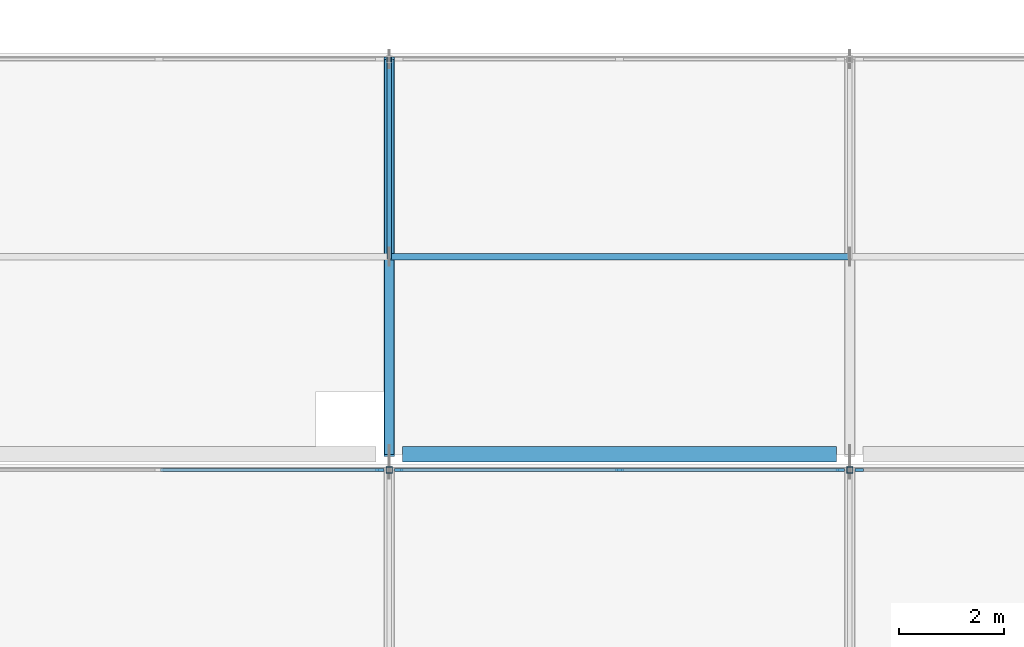
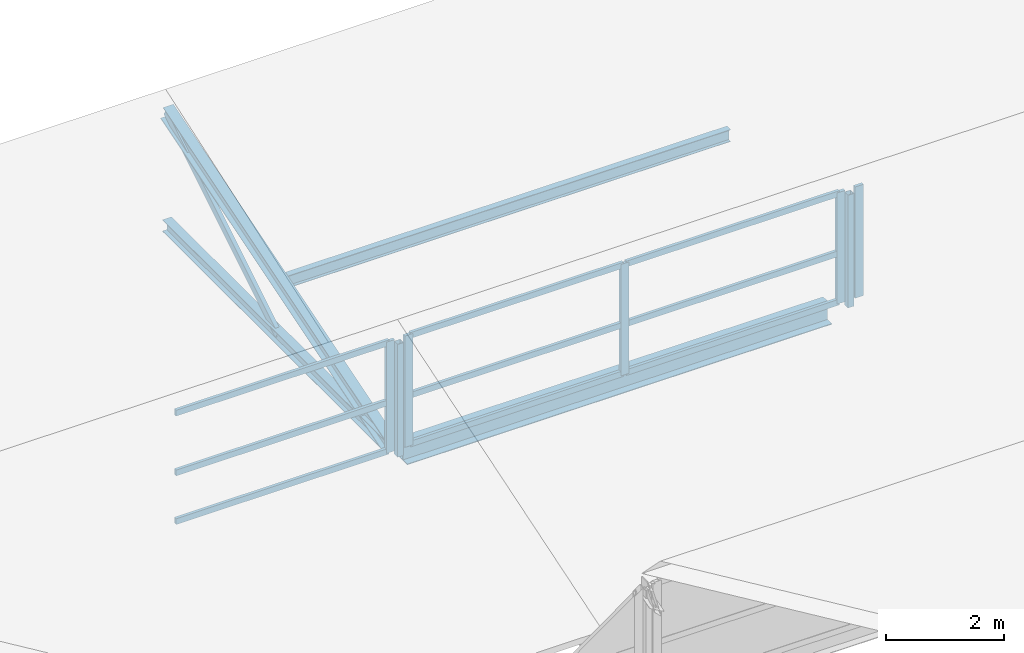
# One storey, part 11 of 40: 20 members, 1 beam, 3 elements without a shape of their own.
"""IFC4 building model written with IfcOpenShell, lengths in metres."""

from ifc_helpers import new_model, si_unit, direction, frame, origin, origin_2d, place, context, subcontext, project, spatial, rectangle, hollow_rectangle, i_section, extrude, material, material_profile, profile_set, type_object, element, aggregate, save


model = new_model("IFC4")

# Units and contexts
model_context = context("Model", 3, precision=1e-05, world=origin(), true_north=direction((0.0, 1.0)))
body_context = subcontext(model_context, "Body", "Model", "MODEL_VIEW")
ifc_project = project(units=[si_unit("LENGTHUNIT", "METRE"), si_unit("AREAUNIT", "SQUARE_METRE"), si_unit("VOLUMEUNIT", "CUBIC_METRE"), si_unit("PLANEANGLEUNIT", "RADIAN"), si_unit("MASSUNIT", "GRAM", prefix="KILO")], contexts=[model_context])

# Site, building, storey
site_placement = place(None, origin())
site = spatial("IfcSite", under=ifc_project, at=site_placement, CompositionType="ELEMENT")
building_placement = place(site_placement, origin())
building = spatial("IfcBuilding", under=site, at=building_placement, Name="Brinegate Botanical Conservatory", CompositionType="ELEMENT")
storey_placement = place(building_placement, frame((0.0, 0.0, 19.199951171875)))
storey = spatial("IfcBuildingStorey", under=building, at=storey_placement, Name="L05", CompositionType="ELEMENT", Elevation=19.199951171875)

# Beam
ifc_material_1 = material(Name="Structural steel Q355B / S355", Category="steel")
ifc_material_profile_1 = material_profile(ifc_material_1, i_section(OverallWidth=0.300048828125, OverallDepth=0.389892578125, WebThickness=0.010009765625, FlangeThickness=0.01611328125, at=origin_2d()), Name="HM 390x300x10x16")
ifc_profile_set_1 = profile_set([ifc_material_profile_1], Name="Structural steel Q355B / S355")
beam_type = type_object("IfcBeamType", Name="Beam_BM-S5", PredefinedType="BEAM", material=ifc_profile_set_1)
beam_placement = place(storey_placement, frame((86.25, 103.60009765625, -0.179931640625), z_axis=(1.0, 0.0, 0.0), x_axis=(0.0, 1.0, 0.0)))
element("IfcBeam", 1, at=beam_placement, inside=storey, type_object=beam_type, Name="Sawtooth valley girder BM-S5 B3.5", PredefinedType="BEAM", context=body_context, shape_type="SweptSolid", body=[
    extrude(i_section(OverallWidth=0.300048828125, OverallDepth=0.389892578125, WebThickness=0.010009765625, FlangeThickness=0.01611328125, at=origin_2d()), origin(), (0.0, 0.0, 1.0), 8.300048828125),
])

# Curtain wall, member
ifc_material_2 = material(Name="Thermally broken anodised aluminium AW-6063-T6", Category="aluminium")
curtain_wall_type = type_object("IfcCurtainWallType", Name="CW_CW-SAW", PredefinedType="USERDEFINED", material=ifc_material_2)
curtain_wall_1_placement = place(storey_placement, origin())
curtain_wall_1 = element("IfcCurtainWall", 2, at=curtain_wall_1_placement, inside=storey, type_object=curtain_wall_type, Name="Sawtooth north-light clerestory B2.4", ObjectType="FACTORY CURTAIN WALL", PredefinedType="USERDEFINED")
ifc_material_profile_2 = material_profile(ifc_material_2, rectangle(XDim=0.06005859375, YDim=0.159912109375, at=origin_2d()), Name="ALUM MULLION 60x160")
ifc_profile_set_2 = profile_set([ifc_material_profile_2], Name="Thermally broken anodised aluminium AW-6063-T6")
member_type_1 = type_object("IfcMemberType", Name="Member_ML-01", PredefinedType="MULLION", material=ifc_profile_set_2)
member_1_placement = place(storey_placement, frame((85.820068359375, 103.300048828125, 0.150146484375), z_axis=(0.0, 0.0, 1.0), x_axis=(0.0, 1.0, 0.0)))
member_1 = element("IfcMember", 3, at=member_1_placement, type_object=member_type_1, Name="CW-SAW mullion 3", PredefinedType="MULLION", context=body_context, shape_type="SweptSolid", body=[
    extrude(rectangle(XDim=0.06005859375, YDim=0.159912109375, at=origin_2d()), origin(), (0.0, 0.0, 1.0), 2.2998046875),
])

# Curtain wall, members
curtain_wall_2_placement = place(storey_placement, origin())
curtain_wall_2 = element("IfcCurtainWall", 4, at=curtain_wall_2_placement, inside=storey, type_object=curtain_wall_type, Name="Sawtooth north-light clerestory B2.5", ObjectType="FACTORY CURTAIN WALL", PredefinedType="USERDEFINED")
member_2_placement = place(storey_placement, frame((86.179931640625, 103.300048828125, 0.150146484375), z_axis=(0.0, 0.0, 1.0), x_axis=(0.0, 1.0, 0.0)))
member_2 = element("IfcMember", 5, at=member_2_placement, type_object=member_type_1, Name="CW-SAW mullion 1", PredefinedType="MULLION", context=body_context, shape_type="SweptSolid", body=[
    extrude(rectangle(XDim=0.06005859375, YDim=0.159912109375, at=origin_2d()), origin(), (0.0, 0.0, 1.0), 2.2998046875),
])
member_3_placement = place(storey_placement, frame((90.39990234375, 103.300048828125, 0.150146484375), z_axis=(0.0, 0.0, 1.0), x_axis=(0.0, 1.0, 0.0)))
member_3 = element("IfcMember", 6, at=member_3_placement, type_object=member_type_1, Name="CW-SAW mullion 2", PredefinedType="MULLION", context=body_context, shape_type="SweptSolid", body=[
    extrude(rectangle(XDim=0.06005859375, YDim=0.159912109375, at=origin_2d()), origin(), (0.0, 0.0, 1.0), 2.2998046875),
])
member_4_placement = place(storey_placement, frame((94.6201171875, 103.300048828125, 0.150146484375), z_axis=(0.0, 0.0, 1.0), x_axis=(0.0, 1.0, 0.0)))
member_4 = element("IfcMember", 7, at=member_4_placement, type_object=member_type_1, Name="CW-SAW mullion 3", PredefinedType="MULLION", context=body_context, shape_type="SweptSolid", body=[
    extrude(rectangle(XDim=0.06005859375, YDim=0.159912109375, at=origin_2d()), origin(), (0.0, 0.0, 1.0), 2.2998046875),
])

# Curtain wall, member
curtain_wall_3_placement = place(storey_placement, origin())
curtain_wall_3 = element("IfcCurtainWall", 8, at=curtain_wall_3_placement, inside=storey, type_object=curtain_wall_type, Name="Sawtooth north-light clerestory B2.6", ObjectType="FACTORY CURTAIN WALL", PredefinedType="USERDEFINED")
member_5_placement = place(storey_placement, frame((94.97998046875, 103.300048828125, 0.150146484375), z_axis=(0.0, 0.0, 1.0), x_axis=(0.0, 1.0, 0.0)))
member_5 = element("IfcMember", 9, at=member_5_placement, type_object=member_type_1, Name="CW-SAW mullion 1", PredefinedType="MULLION", context=body_context, shape_type="SweptSolid", body=[
    extrude(rectangle(XDim=0.06005859375, YDim=0.159912109375, at=origin_2d()), origin(), (0.0, 0.0, 1.0), 2.2998046875),
])
aggregate(curtain_wall_3, [member_5])

# Members
ifc_material_profile_3 = material_profile(ifc_material_1, hollow_rectangle(XDim=0.080078125, YDim=0.159912109375, WallThickness=0.006103515625, at=origin_2d()), Name="RHS 160x80x6")
ifc_profile_set_3 = profile_set([ifc_material_profile_3], Name="Structural steel Q355B / S355")
member_type_2 = type_object("IfcMemberType", Name="Member_SB-01", PredefinedType="BRACE", material=ifc_profile_set_3)
member_6_placement = place(storey_placement, frame((86.0, 107.375, 0.02001953125), z_axis=(0.0, 0.850947042806, 0.525251492468), x_axis=(-1.0, 0.0, 0.0)))
element("IfcMember", 10, at=member_6_placement, inside=storey, type_object=member_type_2, Name="Sawtooth web diagonal SB-01 B3.T5", PredefinedType="BRACE", context=body_context, shape_type="SweptSolid", body=[
    extrude(hollow_rectangle(XDim=0.080078125, YDim=0.159912109375, WallThickness=0.006103515625, at=origin_2d()), origin(), (0.0, 0.0, 1.0), 4.43603515625),
])
ifc_material_profile_4 = material_profile(ifc_material_1, i_section(OverallWidth=0.199951171875, OverallDepth=0.2939453125, WebThickness=0.008056640625, FlangeThickness=0.011962890625, at=origin_2d()), Name="HM 294x200x8x12")
ifc_profile_set_4 = profile_set([ifc_material_profile_4], Name="Structural steel Q355B / S355")
member_type_3 = type_object("IfcMemberType", Name="Member_SC-01", PredefinedType="CHORD", material=ifc_profile_set_4)
member_7_placement = place(storey_placement, frame((86.0, 103.60009765625, 0.02001953125), z_axis=(0.0, 0.955527457741, 0.294902149032), x_axis=(-1.0, 0.0, 0.0)))
element("IfcMember", 11, at=member_7_placement, inside=storey, type_object=member_type_3, Name="Sawtooth rafter chord SC-01 B3.T5", PredefinedType="CHORD", context=body_context, shape_type="SweptSolid", body=[
    extrude(i_section(OverallWidth=0.199951171875, OverallDepth=0.2939453125, WebThickness=0.008056640625, FlangeThickness=0.011962890625, at=origin_2d()), origin(), (0.0, 0.0, 1.0), 7.901123046875),
])
ifc_material_profile_5 = material_profile(ifc_material_1, i_section(OverallWidth=0.175048828125, OverallDepth=0.243896484375, WebThickness=0.007080078125, FlangeThickness=0.010986328125, at=origin_2d()), Name="HM 244x175x7x11")
ifc_profile_set_5 = profile_set([ifc_material_profile_5], Name="Structural steel Q355B / S355")
member_type_4 = type_object("IfcMemberType", Name="Member_SC-02", PredefinedType="CHORD", material=ifc_profile_set_5)
member_8_placement = place(storey_placement, frame((86.0, 103.60009765625, 0.02001953125), z_axis=(0.0, 1.0, 0.0), x_axis=(-1.0, 0.0, 0.0)))
element("IfcMember", 12, at=member_8_placement, inside=storey, type_object=member_type_4, Name="Sawtooth bottom tie SC-02 B3.T5", PredefinedType="CHORD", context=body_context, shape_type="SweptSolid", body=[
    extrude(i_section(OverallWidth=0.175048828125, OverallDepth=0.243896484375, WebThickness=0.007080078125, FlangeThickness=0.010986328125, at=origin_2d()), origin(), (0.0, 0.0, 1.0), 7.5498046875),
])
ifc_material_profile_6 = material_profile(ifc_material_1, i_section(OverallWidth=0.125, OverallDepth=0.25, WebThickness=0.006103515625, FlangeThickness=0.009033203125, at=origin_2d()), Name="HN 250x125x6x9")
ifc_profile_set_6 = profile_set([ifc_material_profile_6], Name="Structural steel Q355B / S355")
member_type_5 = type_object("IfcMemberType", Name="Member_SPU-01", PredefinedType="PURLIN", material=ifc_profile_set_6)
member_9_placement = place(storey_placement, frame((86.0, 107.375, 1.094970703125), z_axis=(1.0, 0.0, 0.0), x_axis=(0.0, 1.0, 0.0)))
element("IfcMember", 13, at=member_9_placement, inside=storey, type_object=member_type_5, Name="Sawtooth roof purlin SPU-01 B3.5", PredefinedType="PURLIN", context=body_context, shape_type="SweptSolid", body=[
    extrude(i_section(OverallWidth=0.125, OverallDepth=0.25, WebThickness=0.006103515625, FlangeThickness=0.009033203125, at=origin_2d()), origin(), (0.0, 0.0, 1.0), 8.800048828125),
])
ifc_material_profile_7 = material_profile(ifc_material_1, hollow_rectangle(XDim=0.1201171875, YDim=0.1201171875, WallThickness=0.006103515625, at=origin_2d()), Name="SHS 120x120x6")
ifc_profile_set_7 = profile_set([ifc_material_profile_7], Name="Structural steel Q355B / S355")
member_type_6 = type_object("IfcMemberType", Name="Member_SS-01", PredefinedType="STRUT", material=ifc_profile_set_7)
for number, where, z_axis, x_axis, name in (
    (14, (86.0, 103.300048828125, 0.02001953125), (0.0, 0.0, 1.0), (1.0, 0.0, 0.0), "Sawtooth north clerestory post SS-01 B2.T5"),
    (15, (94.800048828125, 103.300048828125, 0.02001953125), (0.0, 0.0, 1.0), (1.0, 0.0, 0.0), "Sawtooth north clerestory post SS-01 B2.T6"),
):
    element("IfcMember", number, at=place(storey_placement, frame(where, z_axis=z_axis, x_axis=x_axis)), inside=storey, type_object=member_type_6, Name=name, PredefinedType="STRUT", context=body_context, shape_type="SweptSolid", body=[
        extrude(hollow_rectangle(XDim=0.1201171875, YDim=0.1201171875, WallThickness=0.006103515625, at=origin_2d()), origin(), (0.0, 0.0, 1.0), 2.330078125),
    ])

# Member
ifc_material_profile_8 = material_profile(ifc_material_2, rectangle(XDim=0.06005859375, YDim=0.1201171875, at=origin_2d()), Name="ALUM TRANSOM 60x120")
ifc_profile_set_8 = profile_set([ifc_material_profile_8], Name="Thermally broken anodised aluminium AW-6063-T6")
member_type_7 = type_object("IfcMemberType", Name="Member_TR-01", PredefinedType="USERDEFINED", material=ifc_profile_set_8)
member_10_placement = place(storey_placement, frame((81.6298828125, 103.300048828125, 0.179931640625), z_axis=(1.0, 0.0, 0.0), x_axis=(0.0, 1.0, 0.0)))
member_10 = element("IfcMember", 16, at=member_10_placement, type_object=member_type_7, Name="CW-SAW transom 2.1", ObjectType="TRANSOM", PredefinedType="USERDEFINED", context=body_context, shape_type="SweptSolid", body=[
    extrude(rectangle(XDim=0.06005859375, YDim=0.1201171875, at=origin_2d()), origin(), (0.0, 0.0, 1.0), 4.16015625),
])

member_11_placement = place(storey_placement, frame((81.6298828125, 103.300048828125, 1.18505859375), z_axis=(1.0, 0.0, 0.0), x_axis=(0.0, 1.0, 0.0)))
member_11 = element("IfcMember", 17, at=member_11_placement, type_object=member_type_7, Name="CW-SAW transom 2.2", ObjectType="TRANSOM", PredefinedType="USERDEFINED", context=body_context, shape_type="SweptSolid", body=[
    extrude(rectangle(XDim=0.06005859375, YDim=0.1201171875, at=origin_2d()), origin(), (0.0, 0.0, 1.0), 4.16015625),
])

member_12_placement = place(storey_placement, frame((81.6298828125, 103.300048828125, 2.420166015625), z_axis=(1.0, 0.0, 0.0), x_axis=(0.0, 1.0, 0.0)))
member_12 = element("IfcMember", 18, at=member_12_placement, type_object=member_type_7, Name="CW-SAW transom 2.3", ObjectType="TRANSOM", PredefinedType="USERDEFINED", context=body_context, shape_type="SweptSolid", body=[
    extrude(rectangle(XDim=0.06005859375, YDim=0.1201171875, at=origin_2d()), origin(), (0.0, 0.0, 1.0), 4.16015625),
])

aggregate(curtain_wall_1, [member_1, member_10, member_11, member_12])

member_13_placement = place(storey_placement, frame((86.2099609375, 103.300048828125, 0.179931640625), z_axis=(1.0, 0.0, 0.0), x_axis=(0.0, 1.0, 0.0)))
member_13 = element("IfcMember", 19, at=member_13_placement, type_object=member_type_7, Name="CW-SAW transom 1.1", ObjectType="TRANSOM", PredefinedType="USERDEFINED", context=body_context, shape_type="SweptSolid", body=[
    extrude(rectangle(XDim=0.06005859375, YDim=0.1201171875, at=origin_2d()), origin(), (0.0, 0.0, 1.0), 4.16015625),
])

member_14_placement = place(storey_placement, frame((86.2099609375, 103.300048828125, 1.18505859375), z_axis=(1.0, 0.0, 0.0), x_axis=(0.0, 1.0, 0.0)))
member_14 = element("IfcMember", 20, at=member_14_placement, type_object=member_type_7, Name="CW-SAW transom 1.2", ObjectType="TRANSOM", PredefinedType="USERDEFINED", context=body_context, shape_type="SweptSolid", body=[
    extrude(rectangle(XDim=0.06005859375, YDim=0.1201171875, at=origin_2d()), origin(), (0.0, 0.0, 1.0), 4.16015625),
])

member_15_placement = place(storey_placement, frame((86.2099609375, 103.300048828125, 2.420166015625), z_axis=(1.0, 0.0, 0.0), x_axis=(0.0, 1.0, 0.0)))
member_15 = element("IfcMember", 21, at=member_15_placement, type_object=member_type_7, Name="CW-SAW transom 1.3", ObjectType="TRANSOM", PredefinedType="USERDEFINED", context=body_context, shape_type="SweptSolid", body=[
    extrude(rectangle(XDim=0.06005859375, YDim=0.1201171875, at=origin_2d()), origin(), (0.0, 0.0, 1.0), 4.16015625),
])

member_16_placement = place(storey_placement, frame((90.429931640625, 103.300048828125, 0.179931640625), z_axis=(1.0, 0.0, 0.0), x_axis=(0.0, 1.0, 0.0)))
member_16 = element("IfcMember", 22, at=member_16_placement, type_object=member_type_7, Name="CW-SAW transom 2.1", ObjectType="TRANSOM", PredefinedType="USERDEFINED", context=body_context, shape_type="SweptSolid", body=[
    extrude(rectangle(XDim=0.06005859375, YDim=0.1201171875, at=origin_2d()), origin(), (0.0, 0.0, 1.0), 4.16015625),
])

member_17_placement = place(storey_placement, frame((90.429931640625, 103.300048828125, 1.18505859375), z_axis=(1.0, 0.0, 0.0), x_axis=(0.0, 1.0, 0.0)))
member_17 = element("IfcMember", 23, at=member_17_placement, type_object=member_type_7, Name="CW-SAW transom 2.2", ObjectType="TRANSOM", PredefinedType="USERDEFINED", context=body_context, shape_type="SweptSolid", body=[
    extrude(rectangle(XDim=0.06005859375, YDim=0.1201171875, at=origin_2d()), origin(), (0.0, 0.0, 1.0), 4.16015625),
])

member_18_placement = place(storey_placement, frame((90.429931640625, 103.300048828125, 2.420166015625), z_axis=(1.0, 0.0, 0.0), x_axis=(0.0, 1.0, 0.0)))
member_18 = element("IfcMember", 24, at=member_18_placement, type_object=member_type_7, Name="CW-SAW transom 2.3", ObjectType="TRANSOM", PredefinedType="USERDEFINED", context=body_context, shape_type="SweptSolid", body=[
    extrude(rectangle(XDim=0.06005859375, YDim=0.1201171875, at=origin_2d()), origin(), (0.0, 0.0, 1.0), 4.16015625),
])

aggregate(curtain_wall_2, [member_2, member_3, member_4, member_13, member_14, member_15, member_16, member_17, member_18])

save(model, "model.ifc")
